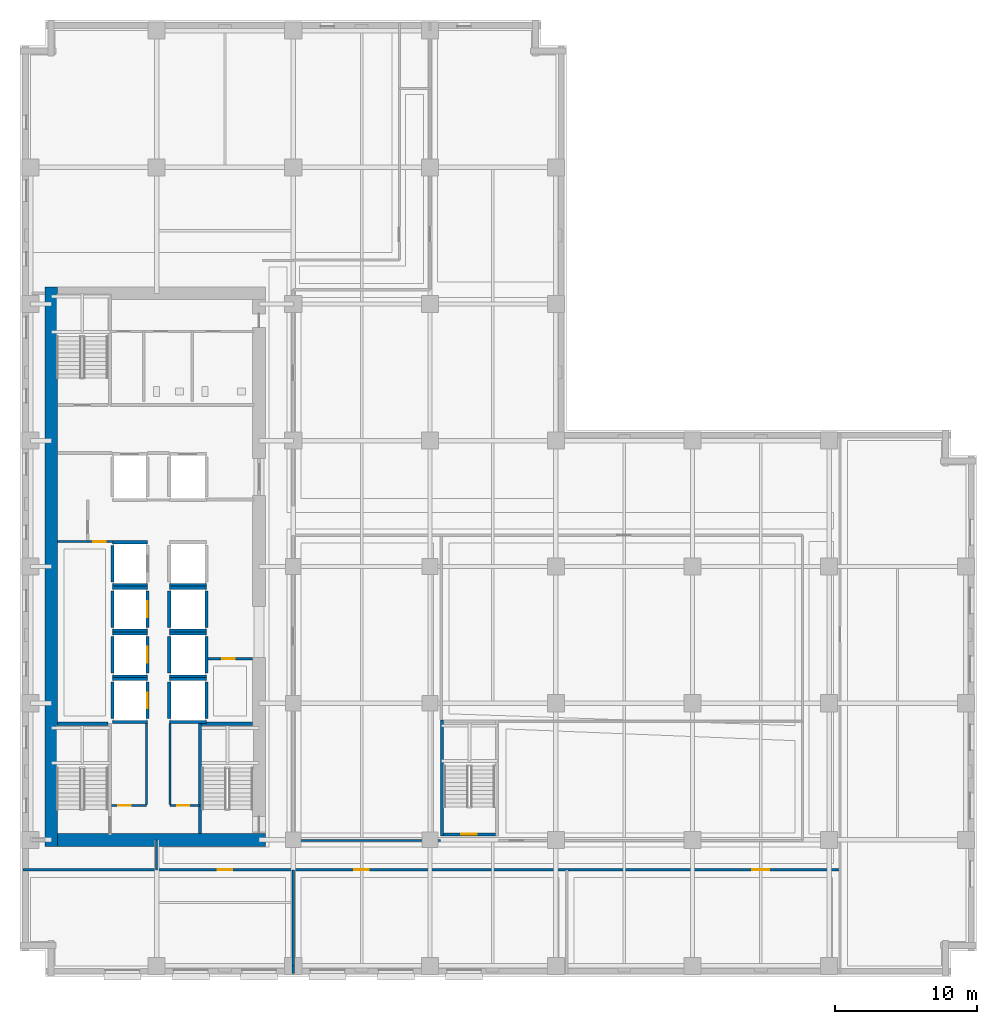
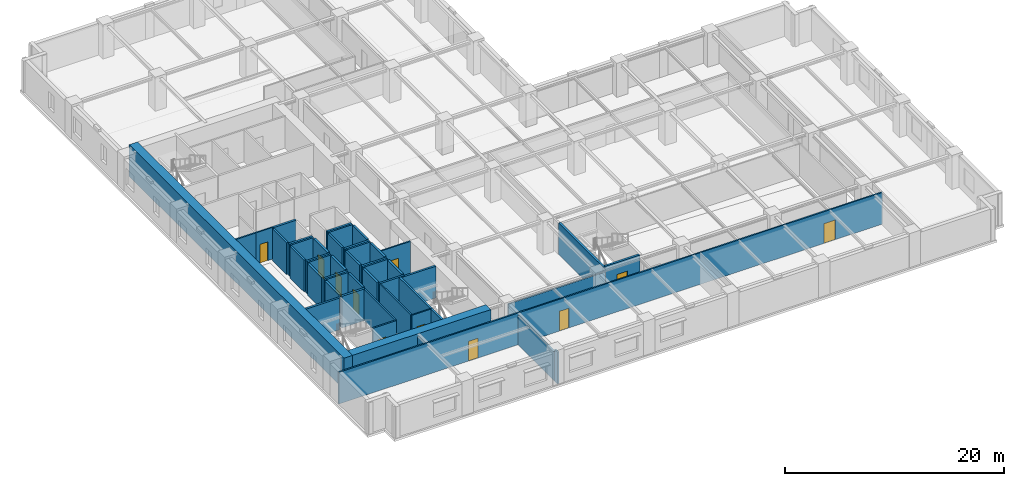
# One storey, part 4 of 14: 47 walls, 11 doors, 11 openings.
"""IFC4 building model written with IfcOpenShell, lengths in metres."""

from ifc_helpers import new_model, si_unit, direction, frame, frame_2d, origin, place, context, subcontext, project, spatial, rectangle, extrude, material, layer, layer_set, type_object, element, fill, save


model = new_model("IFC4")

# Units and contexts
model_context = context("Model", 3, precision=1e-05, world=origin(), true_north=direction((0.0, 1.0)))
body_context = subcontext(model_context, "Body", "Model", "MODEL_VIEW")
ifc_project = project(units=[si_unit("LENGTHUNIT", "METRE"), si_unit("AREAUNIT", "SQUARE_METRE"), si_unit("VOLUMEUNIT", "CUBIC_METRE"), si_unit("PLANEANGLEUNIT", "RADIAN"), si_unit("MASSUNIT", "GRAM", prefix="KILO")], contexts=[model_context])

# Site, building, storey
site_placement = place(None, origin())
site = spatial("IfcSite", under=ifc_project, at=site_placement, CompositionType="ELEMENT")
building_placement = place(site_placement, origin())
building = spatial("IfcBuilding", under=site, at=building_placement, Name="Norrvale University Quadrangle", CompositionType="ELEMENT")
storey_placement = place(building_placement, frame((0.0, 0.0, 50.800048828125)))
storey = spatial("IfcBuildingStorey", under=building, at=storey_placement, Name="L12", CompositionType="ELEMENT", Elevation=50.800048828125)

# Walls
ifc_material_1 = material(Name="Concrete C80/95", Category="concrete")
ifc_layer_1 = layer(ifc_material_1, 0.89990234375, Name="Concrete C80/95")
ifc_layer_set_1 = layer_set([ifc_layer_1], Name="Concrete C80/95")
wall_type_1 = type_object("IfcWallType", Name="Wall Core 900", PredefinedType="SHEAR", material=ifc_layer_set_1)
wall_1_placement = place(storey_placement, frame((2.64990234375, 9.60009765625, 0.0), z_axis=(0.0, 0.0, 1.0), x_axis=(1.0, 0.0, 0.0)))
element("IfcWall", 1, at=wall_1_placement, inside=storey, type_object=wall_type_1, Name="Tower Core Shear Wall L12-S", PredefinedType="SHEAR", context=body_context, shape_type="SweptSolid", body=[
    extrude(rectangle(XDim=14.60009765625, YDim=0.89990234375, at=frame_2d((7.300048828125, 0.0))), origin(), (0.0, 0.0, 1.0), 3.5400390625),
])
wall_2_placement = place(storey_placement, frame((2.199951171875, 9.14990234375, 0.0), z_axis=(0.0, 0.0, 1.0), x_axis=(0.0, 1.0, 0.0)))
element("IfcWall", 2, at=wall_2_placement, inside=storey, type_object=wall_type_1, Name="Tower Core Shear Wall L12-W", PredefinedType="SHEAR", context=body_context, shape_type="SweptSolid", body=[
    extrude(rectangle(XDim=39.300048828125, YDim=0.89990234375, at=frame_2d((19.64990234375, 0.0))), origin(), (0.0, 0.0, 1.0), 3.5400390625),
])

# Wall, opening, door
ifc_material_2 = material(Name="Fire-Rated Gypsum Stud Partition")
ifc_layer_2 = layer(ifc_material_2, 0.14990234375, Name="Fire-Rated Gypsum Stud Partition")
ifc_layer_set_2 = layer_set([ifc_layer_2], Name="Fire-Rated Gypsum Stud Partition")
wall_type_2 = type_object("IfcWallType", Name="Wall Gypsum Corridor 150", PredefinedType="PARTITIONING", material=ifc_layer_set_2)
wall_3_placement = place(storey_placement, frame((6.419921875, 12.02001953125, 0.0), z_axis=(0.0, 0.0, 1.0), x_axis=(1.0, 0.0, 0.0)))
wall_3 = element("IfcWall", 3, at=wall_3_placement, inside=storey, type_object=wall_type_2, Name="Interior Partition WL-L12-SC-NL", PredefinedType="PARTITIONING", context=body_context, shape_type="SweptSolid", body=[
    extrude(rectangle(XDim=2.47998046875, YDim=0.14990234375, at=frame_2d((1.239990234375, 0.0))), origin(), (0.0, 0.0, 1.0), 3.5400390625),
])
opening_1_placement = place(wall_3_placement, frame((0.5, 0.0, 0.0)))
opening_1 = element("IfcOpeningElement", 4, at=opening_1_placement, cuts=wall_3, Name="Opening D10", PredefinedType="OPENING", context=body_context, shape_type="SweptSolid", body=[
    extrude(rectangle(XDim=0.85009765625, YDim=2.10009765625, at=frame_2d((0.425048828125, 1.050048828125))), frame((0.0, 0.0869140625, 0.0), z_axis=(0.0, -1.0, 0.0), x_axis=(1.0, 0.0, 0.0)), (0.0, 0.0, 1.0), 0.173828125),
])
ifc_material_3 = material(Name="Hollow Steel 350W Riser Fire Door", Category="steel")
door_type_1 = type_object("IfcDoorType", Name="Door Riser 850x2100", OperationType="NOTDEFINED", PredefinedType="DOOR", material=ifc_material_3)
door_1_placement = place(opening_1_placement, origin())
door_1 = element("IfcDoor", 5, at=door_1_placement, inside=storey, type_object=door_type_1, Name="Door Riser 850x2100 DR-L12-ELEC", OperationType="SINGLE_SWING_LEFT", OverallHeight=2.10009765625, OverallWidth=0.85009765625, PredefinedType="DOOR", context=body_context, shape_type="SweptSolid", body=[
    extrude(rectangle(XDim=0.85009765625, YDim=2.10009765625, at=frame_2d((0.425048828125, 1.050048828125))), frame((0.0, 0.02490234375, 0.0), z_axis=(0.0, -1.0, 0.0), x_axis=(1.0, 0.0, 0.0)), (0.0, 0.0, 1.0), 0.050048828125),
])
fill(opening_1, door_1)

wall_4_placement = place(storey_placement, frame((10.550048828125, 12.02001953125, 0.0), z_axis=(0.0, 0.0, 1.0), x_axis=(1.0, 0.0, 0.0)))
wall_4 = element("IfcWall", 6, at=wall_4_placement, inside=storey, type_object=wall_type_2, Name="Interior Partition WL-L12-SC-NR", PredefinedType="PARTITIONING", context=body_context, shape_type="SweptSolid", body=[
    extrude(rectangle(XDim=2.079833984375, YDim=0.14990234375, at=frame_2d((1.0400390625, 0.0))), origin(), (0.0, 0.0, 1.0), 3.5400390625),
])
opening_2_placement = place(wall_4_placement, frame((0.5, 0.0, 0.0)))
opening_2 = element("IfcOpeningElement", 7, at=opening_2_placement, cuts=wall_4, Name="Opening D10", PredefinedType="OPENING", context=body_context, shape_type="SweptSolid", body=[
    extrude(rectangle(XDim=0.85009765625, YDim=2.10009765625, at=frame_2d((0.425048828125, 1.050048828125))), frame((0.0, 0.0869140625, 0.0), z_axis=(0.0, -1.0, 0.0), x_axis=(1.0, 0.0, 0.0)), (0.0, 0.0, 1.0), 0.173828125),
])
door_2_placement = place(opening_2_placement, origin())
door_2 = element("IfcDoor", 8, at=door_2_placement, inside=storey, type_object=door_type_1, Name="Door Riser 850x2100 DR-L12-IDF", OperationType="SINGLE_SWING_RIGHT", OverallHeight=2.10009765625, OverallWidth=0.85009765625, PredefinedType="DOOR", context=body_context, shape_type="SweptSolid", body=[
    extrude(rectangle(XDim=0.85009765625, YDim=2.10009765625, at=frame_2d((0.425048828125, 1.050048828125))), frame((0.0, 0.02490234375, 0.0), z_axis=(0.0, -1.0, 0.0), x_axis=(1.0, 0.0, 0.0)), (0.0, 0.0, 1.0), 0.050048828125),
])
fill(opening_2, door_2)

# Walls
for number, where, z_axis, x_axis, name in (
    (9, (8.89990234375, 12.094970703125, 0.0), (0.0, 0.0, 1.0), (0.0, 1.0, 0.0), "Interior Partition WL-L12-SC-WL"),
    (10, (10.550048828125, 12.094970703125, 0.0), (0.0, 0.0, 1.0), (0.0, 1.0, 0.0), "Interior Partition WL-L12-SC-WR"),
):
    element("IfcWall", number, at=place(storey_placement, frame(where, z_axis=z_axis, x_axis=x_axis)), inside=storey, type_object=wall_type_2, Name=name, PredefinedType="PARTITIONING", context=body_context, shape_type="SweptSolid", body=[
        extrude(rectangle(XDim=5.679931640625, YDim=0.14990234375, at=frame_2d((2.83984375, 0.0))), origin(), (0.0, 0.0, 1.0), 3.5400390625),
    ])

# Wall, opening, door
wall_5_placement = place(storey_placement, frame((13.22509765625, 22.320068359375, 0.0), z_axis=(0.0, 0.0, 1.0), x_axis=(1.0, 0.0, 0.0)))
wall_5 = element("IfcWall", 11, at=wall_5_placement, inside=storey, type_object=wall_type_2, Name="Interior Partition WL-L12-JAN-N", PredefinedType="PARTITIONING", context=body_context, shape_type="SweptSolid", body=[
    extrude(rectangle(XDim=3.119873046875, YDim=0.14990234375, at=frame_2d((1.56005859375, 0.0))), origin(), (0.0, 0.0, 1.0), 3.5400390625),
])
opening_3_placement = place(wall_5_placement, frame((1.0, 0.0, 0.0)))
opening_3 = element("IfcOpeningElement", 12, at=opening_3_placement, cuts=wall_5, Name="Opening D10", PredefinedType="OPENING", context=body_context, shape_type="SweptSolid", body=[
    extrude(rectangle(XDim=0.85009765625, YDim=2.10009765625, at=frame_2d((0.425048828125, 1.050048828125))), frame((0.0, 0.0869140625, 0.0), z_axis=(0.0, -1.0, 0.0), x_axis=(1.0, 0.0, 0.0)), (0.0, 0.0, 1.0), 0.173828125),
])
door_3_placement = place(opening_3_placement, origin())
door_3 = element("IfcDoor", 13, at=door_3_placement, inside=storey, type_object=door_type_1, Name="Door Riser 850x2100 DR-L12-JAN", OperationType="SINGLE_SWING_LEFT", OverallHeight=2.10009765625, OverallWidth=0.85009765625, PredefinedType="DOOR", context=body_context, shape_type="SweptSolid", body=[
    extrude(rectangle(XDim=0.85009765625, YDim=2.10009765625, at=frame_2d((0.425048828125, 1.050048828125))), frame((0.0, 0.02490234375, 0.0), z_axis=(0.0, -1.0, 0.0), x_axis=(1.0, 0.0, 0.0)), (0.0, 0.0, 1.0), 0.050048828125),
])
fill(opening_3, door_3)

wall_6_placement = place(storey_placement, frame((4.760009765625, 30.550048828125, 0.0), z_axis=(0.0, 0.0, 1.0), x_axis=(1.0, 0.0, 0.0)))
wall_6 = element("IfcWall", 14, at=wall_6_placement, inside=storey, type_object=wall_type_2, Name="Interior Partition WL-L12-WST-N", PredefinedType="PARTITIONING", context=body_context, shape_type="SweptSolid", body=[
    extrude(rectangle(XDim=1.760009765625, YDim=0.14990234375, at=frame_2d((0.8798828125, 0.0))), origin(), (0.0, 0.0, 1.0), 3.5400390625),
])
opening_4_placement = place(wall_6_placement, frame((0.39990234375, 0.0, 0.0)))
opening_4 = element("IfcOpeningElement", 15, at=opening_4_placement, cuts=wall_6, Name="Opening D10", PredefinedType="OPENING", context=body_context, shape_type="SweptSolid", body=[
    extrude(rectangle(XDim=0.85009765625, YDim=2.10009765625, at=frame_2d((0.425048828125, 1.050048828125))), frame((0.0, 0.0869140625, 0.0), z_axis=(0.0, -1.0, 0.0), x_axis=(1.0, 0.0, 0.0)), (0.0, 0.0, 1.0), 0.173828125),
])
door_4_placement = place(opening_4_placement, origin())
door_4 = element("IfcDoor", 16, at=door_4_placement, inside=storey, type_object=door_type_1, Name="Door Riser 850x2100 DR-L12-WST", OperationType="SINGLE_SWING_RIGHT", OverallHeight=2.10009765625, OverallWidth=0.85009765625, PredefinedType="DOOR", context=body_context, shape_type="SweptSolid", body=[
    extrude(rectangle(XDim=0.85009765625, YDim=2.10009765625, at=frame_2d((0.425048828125, 1.050048828125))), frame((0.0, 0.02490234375, 0.0), z_axis=(0.0, -1.0, 0.0), x_axis=(1.0, 0.0, 0.0)), (0.0, 0.0, 1.0), 0.050048828125),
])
fill(opening_4, door_4)

# Walls
wall_7_placement = place(storey_placement, frame((2.64990234375, 30.550048828125, 0.0), z_axis=(0.0, 0.0, 1.0), x_axis=(1.0, 0.0, 0.0)))
element("IfcWall", 17, at=wall_7_placement, inside=storey, type_object=wall_type_2, Name="Interior Partition WL-L12-WST-N2", PredefinedType="PARTITIONING", context=body_context, shape_type="SweptSolid", body=[
    extrude(rectangle(XDim=2.110107421875, YDim=0.14990234375, at=frame_2d((1.05517578125, 0.0))), origin(), (0.0, 0.0, 1.0), 3.5400390625),
])
wall_8_placement = place(storey_placement, frame((9.60009765625, 7.5, 0.0), z_axis=(0.0, 0.0, 1.0), x_axis=(0.0, 1.0, 0.0)))
element("IfcWall", 18, at=wall_8_placement, inside=storey, type_object=wall_type_2, Name="Interior Partition WL-L12-CSW-END", PredefinedType="PARTITIONING", context=body_context, shape_type="SweptSolid", body=[
    extrude(rectangle(XDim=2.10009765625, YDim=0.14990234375, at=frame_2d((1.050048828125, 0.0))), origin(), (0.0, 0.0, 1.0), 3.23193359375),
])

# Wall, openings, doors
wall_9_placement = place(storey_placement, frame((0.219970703125, 7.5, 0.0), z_axis=(0.0, 0.0, 1.0), x_axis=(1.0, 0.0, 0.0)))
wall_9 = element("IfcWall", 19, at=wall_9_placement, inside=storey, type_object=wall_type_2, Name="Interior Partition WL-L12-SCW", PredefinedType="PARTITIONING", context=body_context, shape_type="SweptSolid", body=[
    extrude(rectangle(XDim=57.380126953125, YDim=0.14990234375, at=frame_2d((28.68994140625, 0.0))), origin(), (0.0, 0.0, 1.0), 3.5400390625),
])
opening_5_placement = place(wall_9_placement, frame((13.679931640625, 0.0, 0.0)))
opening_5 = element("IfcOpeningElement", 20, at=opening_5_placement, cuts=wall_9, Name="Opening D04", PredefinedType="OPENING", context=body_context, shape_type="SweptSolid", body=[
    extrude(rectangle(XDim=1.0, YDim=2.199951171875, at=frame_2d((0.5, 1.10009765625))), frame((0.0, 0.0869140625, 0.0), z_axis=(0.0, -1.0, 0.0), x_axis=(1.0, 0.0, 0.0)), (0.0, 0.0, 1.0), 0.173828125),
])
opening_6_placement = place(wall_9_placement, frame((23.280029296875, 0.0, 0.0)))
opening_6 = element("IfcOpeningElement", 21, at=opening_6_placement, cuts=wall_9, Name="Opening D04", PredefinedType="OPENING", context=body_context, shape_type="SweptSolid", body=[
    extrude(rectangle(XDim=1.0, YDim=2.199951171875, at=frame_2d((0.5, 1.10009765625))), frame((0.0, 0.0869140625, 0.0), z_axis=(0.0, -1.0, 0.0), x_axis=(1.0, 0.0, 0.0)), (0.0, 0.0, 1.0), 0.173828125),
])
opening_7_placement = place(wall_9_placement, frame((51.22998046875, 0.0, 0.0)))
opening_7 = element("IfcOpeningElement", 22, at=opening_7_placement, cuts=wall_9, Name="Opening D05", PredefinedType="OPENING", context=body_context, shape_type="SweptSolid", body=[
    extrude(rectangle(XDim=1.199951171875, YDim=2.199951171875, at=frame_2d((0.60009765625, 1.10009765625))), frame((0.0, 0.0869140625, 0.0), z_axis=(0.0, -1.0, 0.0), x_axis=(1.0, 0.0, 0.0)), (0.0, 0.0, 1.0), 0.173828125),
])
ifc_material_4 = material(Name="Acoustic Oak Classroom Door", Category="wood")
door_type_2 = type_object("IfcDoorType", Name="Door Classroom 1200x2200", OperationType="NOTDEFINED", PredefinedType="DOOR", material=ifc_material_4)
door_5_placement = place(opening_7_placement, origin())
door_5 = element("IfcDoor", 23, at=door_5_placement, inside=storey, type_object=door_type_2, Name="Door Classroom 1200x2200 DR-L12-S03", OperationType="SINGLE_SWING_LEFT", OverallHeight=2.199951171875, OverallWidth=1.199951171875, PredefinedType="DOOR", context=body_context, shape_type="SweptSolid", body=[
    extrude(rectangle(XDim=1.199951171875, YDim=2.199951171875, at=frame_2d((0.60009765625, 1.10009765625))), frame((0.0, 0.02490234375, 0.0), z_axis=(0.0, -1.0, 0.0), x_axis=(1.0, 0.0, 0.0)), (0.0, 0.0, 1.0), 0.050048828125),
])
fill(opening_7, door_5)
ifc_material_5 = material(Name="Solid-Core Oak Fire Door", Category="wood")
door_type_3 = type_object("IfcDoorType", Name="Door Corridor 1000x2200", OperationType="NOTDEFINED", PredefinedType="DOOR", material=ifc_material_5)
door_6_placement = place(opening_5_placement, origin())
door_6 = element("IfcDoor", 24, at=door_6_placement, inside=storey, type_object=door_type_3, Name="Door Corridor 1000x2200 DR-L12-S01", OperationType="SINGLE_SWING_LEFT", OverallHeight=2.199951171875, OverallWidth=1.0, PredefinedType="DOOR", context=body_context, shape_type="SweptSolid", body=[
    extrude(rectangle(XDim=1.0, YDim=2.199951171875, at=frame_2d((0.5, 1.10009765625))), frame((0.0, 0.02490234375, 0.0), z_axis=(0.0, -1.0, 0.0), x_axis=(1.0, 0.0, 0.0)), (0.0, 0.0, 1.0), 0.050048828125),
])
fill(opening_5, door_6)
door_7_placement = place(opening_6_placement, origin())
door_7 = element("IfcDoor", 25, at=door_7_placement, inside=storey, type_object=door_type_3, Name="Door Corridor 1000x2200 DR-L12-S02", OperationType="SINGLE_SWING_RIGHT", OverallHeight=2.199951171875, OverallWidth=1.0, PredefinedType="DOOR", context=body_context, shape_type="SweptSolid", body=[
    extrude(rectangle(XDim=1.0, YDim=2.199951171875, at=frame_2d((0.5, 1.10009765625))), frame((0.0, 0.02490234375, 0.0), z_axis=(0.0, -1.0, 0.0), x_axis=(1.0, 0.0, 0.0)), (0.0, 0.0, 1.0), 0.050048828125),
])
fill(opening_6, door_7)

# Walls
wall_10_placement = place(storey_placement, frame((19.280029296875, 9.550048828125, 0.0), z_axis=(0.0, 0.0, 1.0), x_axis=(1.0, 0.0, 0.0)))
element("IfcWall", 26, at=wall_10_placement, inside=storey, type_object=wall_type_2, Name="Interior Partition WL-L12-ISLS1", PredefinedType="PARTITIONING", context=body_context, shape_type="SweptSolid", body=[
    extrude(rectangle(XDim=10.244873046875, YDim=0.14990234375, at=frame_2d((5.12255859375, 0.0))), origin(), (0.0, 0.0, 1.0), 3.23193359375),
])
ifc_material_6 = material(Name="Sanitary Chase Gypsum Partition")
ifc_layer_3 = layer(ifc_material_6, 0.1650390625, Name="Sanitary Chase Gypsum Partition")
ifc_layer_set_3 = layer_set([ifc_layer_3], Name="Sanitary Chase Gypsum Partition")
wall_type_3 = type_object("IfcWallType", Name="Wall Gypsum Sanitary 165", PredefinedType="PLUMBINGWALL", material=ifc_layer_set_3)
wall_11_placement = place(storey_placement, frame((19.199951171875, 0.219970703125, 0.0), z_axis=(0.0, 0.0, 1.0), x_axis=(0.0, 1.0, 0.0)))
element("IfcWall", 27, at=wall_11_placement, inside=storey, type_object=wall_type_3, Name="Interior Partition WL-L12-SP01", PredefinedType="PLUMBINGWALL", context=body_context, shape_type="SweptSolid", body=[
    extrude(rectangle(XDim=0.530029296875, YDim=0.1650390625, at=frame_2d((0.26513671875, 0.0))), origin(), (0.0, 0.0, 1.0), 3.5400390625),
])
wall_12_placement = place(storey_placement, frame((19.199951171875, 0.75, 0.0), z_axis=(0.0, 0.0, 1.0), x_axis=(0.0, 1.0, 0.0)))
element("IfcWall", 28, at=wall_12_placement, inside=storey, type_object=wall_type_3, Name="Interior Partition WL-L12-SP01-B2", PredefinedType="PLUMBINGWALL", context=body_context, shape_type="SweptSolid", body=[
    extrude(rectangle(XDim=6.75, YDim=0.1650390625, at=frame_2d((3.375, 0.0))), origin(), (0.0, 0.0, 1.0), 3.23193359375),
])
ifc_material_7 = material(Name="Concrete Blockwork 20 MPa Fire Shaft", Category="masonry")
ifc_layer_4 = layer(ifc_material_7, 0.219970703125, Name="Concrete Blockwork 20 MPa Fire Shaft")
ifc_layer_set_4 = layer_set([ifc_layer_4], Name="Concrete Blockwork 20 MPa Fire Shaft")
wall_type_4 = type_object("IfcWallType", Name="Wall Shaft 220", PredefinedType="SOLIDWALL", material=ifc_layer_set_4)
wall_13_placement = place(storey_placement, frame((2.64990234375, 17.760009765625, 0.0), z_axis=(0.0, 0.0, 1.0), x_axis=(1.0, 0.0, 0.0)))
element("IfcWall", 29, at=wall_13_placement, inside=storey, type_object=wall_type_4, Name="Stair ST-01 North Shaft Wall L12", PredefinedType="SOLIDWALL", context=body_context, shape_type="SweptSolid", body=[
    extrude(rectangle(XDim=3.550048828125, YDim=0.219970703125, at=frame_2d((1.77490234375, 0.0))), origin(), (0.0, 0.0, 1.0), 3.5400390625),
])
wall_14_placement = place(storey_placement, frame((12.639892578125, 10.050048828125, 0.0), z_axis=(0.0, 0.0, 1.0), x_axis=(0.0, 1.0, 0.0)))
element("IfcWall", 30, at=wall_14_placement, inside=storey, type_object=wall_type_4, Name="Stair ST-03 West Shaft Wall L12", PredefinedType="SOLIDWALL", context=body_context, shape_type="SweptSolid", body=[
    extrude(rectangle(XDim=7.7099609375, YDim=0.219970703125, at=frame_2d((3.85498046875, 0.0))), origin(), (0.0, 0.0, 1.0), 3.5400390625),
])
wall_15_placement = place(storey_placement, frame((12.75, 17.760009765625, 0.0), z_axis=(0.0, 0.0, 1.0), x_axis=(1.0, 0.0, 0.0)))
element("IfcWall", 31, at=wall_15_placement, inside=storey, type_object=wall_type_4, Name="Stair ST-03 North Shaft Wall L12", PredefinedType="SOLIDWALL", context=body_context, shape_type="SweptSolid", body=[
    extrude(rectangle(XDim=3.60009765625, YDim=0.219970703125, at=frame_2d((1.800048828125, 0.0))), origin(), (0.0, 0.0, 1.0), 3.5400390625),
])

# Wall, opening, door
wall_16_placement = place(storey_placement, frame((29.75, 9.989990234375, 0.0), z_axis=(0.0, 0.0, 1.0), x_axis=(1.0, 0.0, 0.0)))
wall_16 = element("IfcWall", 32, at=wall_16_placement, inside=storey, type_object=wall_type_4, Name="Stair ST-04 South Shaft Wall L12", PredefinedType="SOLIDWALL", context=body_context, shape_type="SweptSolid", body=[
    extrude(rectangle(XDim=3.64990234375, YDim=0.219970703125, at=frame_2d((1.824951171875, 0.0))), origin(), (0.0, 0.0, 1.0), 3.5400390625),
])
opening_8_placement = place(wall_16_placement, frame((1.239990234375, 0.0, 0.0)))
opening_8 = element("IfcOpeningElement", 33, at=opening_8_placement, cuts=wall_16, Name="Opening D02", PredefinedType="OPENING", context=body_context, shape_type="SweptSolid", body=[
    extrude(rectangle(XDim=1.10009765625, YDim=2.199951171875, at=frame_2d((0.550048828125, 1.10009765625))), frame((0.0, 0.1220703125, 0.0), z_axis=(0.0, -1.0, 0.0), x_axis=(1.0, 0.0, 0.0)), (0.0, 0.0, 1.0), 0.243896484375),
])
ifc_material_8 = material(Name="Hollow Steel 350W Fire Door", Category="steel")
door_type_4 = type_object("IfcDoorType", Name="Door Stair Exit 1100x2200", OperationType="NOTDEFINED", PredefinedType="DOOR", material=ifc_material_8)
door_8_placement = place(opening_8_placement, origin())
door_8 = element("IfcDoor", 34, at=door_8_placement, inside=storey, type_object=door_type_4, Name="Door Stair Exit 1100x2200 DR-L12-ST04", OperationType="SINGLE_SWING_LEFT", OverallHeight=2.199951171875, OverallWidth=1.10009765625, PredefinedType="DOOR", context=body_context, shape_type="SweptSolid", body=[
    extrude(rectangle(XDim=1.10009765625, YDim=2.199951171875, at=frame_2d((0.550048828125, 1.10009765625))), frame((0.0, 0.02490234375, 0.0), z_axis=(0.0, -1.0, 0.0), x_axis=(1.0, 0.0, 0.0)), (0.0, 0.0, 1.0), 0.050048828125),
])
fill(opening_8, door_8)

# Walls
wall_17_placement = place(storey_placement, frame((29.639892578125, 9.8798828125, 0.0), z_axis=(0.0, 0.0, 1.0), x_axis=(0.0, 1.0, 0.0)))
element("IfcWall", 35, at=wall_17_placement, inside=storey, type_object=wall_type_4, Name="Stair ST-04 West Shaft Wall L12", PredefinedType="SOLIDWALL", context=body_context, shape_type="SweptSolid", body=[
    extrude(rectangle(XDim=8.14013671875, YDim=0.219970703125, at=frame_2d((4.070068359375, 0.0))), origin(), (0.0, 0.0, 1.0), 3.5400390625),
])
wall_18_placement = place(storey_placement, frame((6.489990234375, 18.110107421875, 0.0), z_axis=(0.0, 0.0, 1.0), x_axis=(0.0, 1.0, 0.0)))
element("IfcWall", 36, at=wall_18_placement, inside=storey, type_object=wall_type_4, Name="Hoistway PL-01 West Wall L12", PredefinedType="SOLIDWALL", context=body_context, shape_type="SweptSolid", body=[
    extrude(rectangle(XDim=2.579833984375, YDim=0.219970703125, at=frame_2d((1.2900390625, 0.0))), origin(), (0.0, 0.0, 1.0), 3.5400390625),
])

# Wall, opening, door
wall_19_placement = place(storey_placement, frame((8.9599609375, 18.110107421875, 0.0), z_axis=(0.0, 0.0, 1.0), x_axis=(0.0, 1.0, 0.0)))
wall_19 = element("IfcWall", 37, at=wall_19_placement, inside=storey, type_object=wall_type_4, Name="Hoistway PL-01 East Wall L12", PredefinedType="SOLIDWALL", context=body_context, shape_type="SweptSolid", body=[
    extrude(rectangle(XDim=2.579833984375, YDim=0.219970703125, at=frame_2d((1.2900390625, 0.0))), origin(), (0.0, 0.0, 1.0), 3.5400390625),
])
opening_9_placement = place(wall_19_placement, frame((0.739990234375, 0.0, 0.0)))
opening_9 = element("IfcOpeningElement", 38, at=opening_9_placement, cuts=wall_19, Name="Opening LD1", PredefinedType="OPENING", context=body_context, shape_type="SweptSolid", body=[
    extrude(rectangle(XDim=1.10009765625, YDim=2.199951171875, at=frame_2d((0.550048828125, 1.10009765625))), frame((0.0, 0.1220703125, 0.0), z_axis=(0.0, -1.0, 0.0), x_axis=(1.0, 0.0, 0.0)), (0.0, 0.0, 1.0), 0.243896484375),
])
ifc_material_9 = material(Name="Stainless Steel 316L Lift Landing Door", Category="steel")
door_type_5 = type_object("IfcDoorType", Name="Door Lift Landing 1100x2200", OperationType="DOUBLE_DOOR_SLIDING", PredefinedType="DOOR", material=ifc_material_9)
door_9_placement = place(opening_9_placement, origin())
door_9 = element("IfcDoor", 39, at=door_9_placement, inside=storey, type_object=door_type_5, Name="Elevator Landing Door DR-L12-PL-01", OperationType="DOUBLE_DOOR_SLIDING", OverallHeight=2.199951171875, OverallWidth=1.10009765625, PredefinedType="DOOR", context=body_context, shape_type="SweptSolid", body=[
    extrude(rectangle(XDim=1.10009765625, YDim=2.199951171875, at=frame_2d((0.550048828125, 1.10009765625))), frame((0.0, 0.02490234375, 0.0), z_axis=(0.0, -1.0, 0.0), x_axis=(1.0, 0.0, 0.0)), (0.0, 0.0, 1.0), 0.050048828125),
])
fill(opening_9, door_9)

# Walls
for number, where, z_axis, x_axis, name in (
    (40, (6.489990234375, 17.889892578125, 0.0), (0.0, 0.0, 1.0), (1.0, 0.0, 0.0), "Hoistway PL-01 South Wall L12"),
    (41, (6.489990234375, 20.909912109375, 0.0), (0.0, 0.0, 1.0), (1.0, 0.0, 0.0), "Hoistway PL-01 North Wall L12"),
):
    element("IfcWall", number, at=place(storey_placement, frame(where, z_axis=z_axis, x_axis=x_axis)), inside=storey, type_object=wall_type_4, Name=name, PredefinedType="SOLIDWALL", context=body_context, shape_type="SweptSolid", body=[
        extrude(rectangle(XDim=2.469970703125, YDim=0.219970703125, at=frame_2d((1.23486328125, 0.0))), origin(), (0.0, 0.0, 1.0), 3.5400390625),
    ])
wall_20_placement = place(storey_placement, frame((6.489990234375, 21.31005859375, 0.0), z_axis=(0.0, 0.0, 1.0), x_axis=(0.0, 1.0, 0.0)))
element("IfcWall", 42, at=wall_20_placement, inside=storey, type_object=wall_type_4, Name="Hoistway PL-02 West Wall L12", PredefinedType="SOLIDWALL", context=body_context, shape_type="SweptSolid", body=[
    extrude(rectangle(XDim=2.579833984375, YDim=0.219970703125, at=frame_2d((1.2900390625, 0.0))), origin(), (0.0, 0.0, 1.0), 3.5400390625),
])

# Wall, opening, door
wall_21_placement = place(storey_placement, frame((8.9599609375, 21.31005859375, 0.0), z_axis=(0.0, 0.0, 1.0), x_axis=(0.0, 1.0, 0.0)))
wall_21 = element("IfcWall", 43, at=wall_21_placement, inside=storey, type_object=wall_type_4, Name="Hoistway PL-02 East Wall L12", PredefinedType="SOLIDWALL", context=body_context, shape_type="SweptSolid", body=[
    extrude(rectangle(XDim=2.579833984375, YDim=0.219970703125, at=frame_2d((1.2900390625, 0.0))), origin(), (0.0, 0.0, 1.0), 3.5400390625),
])
opening_10_placement = place(wall_21_placement, frame((0.739990234375, 0.0, 0.0)))
opening_10 = element("IfcOpeningElement", 44, at=opening_10_placement, cuts=wall_21, Name="Opening LD1", PredefinedType="OPENING", context=body_context, shape_type="SweptSolid", body=[
    extrude(rectangle(XDim=1.10009765625, YDim=2.199951171875, at=frame_2d((0.550048828125, 1.10009765625))), frame((0.0, 0.1220703125, 0.0), z_axis=(0.0, -1.0, 0.0), x_axis=(1.0, 0.0, 0.0)), (0.0, 0.0, 1.0), 0.243896484375),
])
door_10_placement = place(opening_10_placement, origin())
door_10 = element("IfcDoor", 45, at=door_10_placement, inside=storey, type_object=door_type_5, Name="Elevator Landing Door DR-L12-PL-02", OperationType="DOUBLE_DOOR_SLIDING", OverallHeight=2.199951171875, OverallWidth=1.10009765625, PredefinedType="DOOR", context=body_context, shape_type="SweptSolid", body=[
    extrude(rectangle(XDim=1.10009765625, YDim=2.199951171875, at=frame_2d((0.550048828125, 1.10009765625))), frame((0.0, 0.02490234375, 0.0), z_axis=(0.0, -1.0, 0.0), x_axis=(1.0, 0.0, 0.0)), (0.0, 0.0, 1.0), 0.050048828125),
])
fill(opening_10, door_10)

# Walls
for number, where, z_axis, x_axis, name in (
    (46, (6.489990234375, 21.090087890625, 0.0), (0.0, 0.0, 1.0), (1.0, 0.0, 0.0), "Hoistway PL-02 South Wall L12"),
    (47, (6.489990234375, 24.110107421875, 0.0), (0.0, 0.0, 1.0), (1.0, 0.0, 0.0), "Hoistway PL-02 North Wall L12"),
):
    element("IfcWall", number, at=place(storey_placement, frame(where, z_axis=z_axis, x_axis=x_axis)), inside=storey, type_object=wall_type_4, Name=name, PredefinedType="SOLIDWALL", context=body_context, shape_type="SweptSolid", body=[
        extrude(rectangle(XDim=2.469970703125, YDim=0.219970703125, at=frame_2d((1.23486328125, 0.0))), origin(), (0.0, 0.0, 1.0), 3.5400390625),
    ])
wall_22_placement = place(storey_placement, frame((6.489990234375, 24.510009765625, 0.0), z_axis=(0.0, 0.0, 1.0), x_axis=(0.0, 1.0, 0.0)))
element("IfcWall", 48, at=wall_22_placement, inside=storey, type_object=wall_type_4, Name="Hoistway PL-03 West Wall L12", PredefinedType="SOLIDWALL", context=body_context, shape_type="SweptSolid", body=[
    extrude(rectangle(XDim=2.580078125, YDim=0.219970703125, at=frame_2d((1.2900390625, 0.0))), origin(), (0.0, 0.0, 1.0), 3.5400390625),
])

# Wall, opening, door
wall_23_placement = place(storey_placement, frame((8.9599609375, 24.510009765625, 0.0), z_axis=(0.0, 0.0, 1.0), x_axis=(0.0, 1.0, 0.0)))
wall_23 = element("IfcWall", 49, at=wall_23_placement, inside=storey, type_object=wall_type_4, Name="Hoistway PL-03 East Wall L12", PredefinedType="SOLIDWALL", context=body_context, shape_type="SweptSolid", body=[
    extrude(rectangle(XDim=2.580078125, YDim=0.219970703125, at=frame_2d((1.2900390625, 0.0))), origin(), (0.0, 0.0, 1.0), 3.5400390625),
])
opening_11_placement = place(wall_23_placement, frame((0.739990234375, 0.0, 0.0)))
opening_11 = element("IfcOpeningElement", 50, at=opening_11_placement, cuts=wall_23, Name="Opening LD1", PredefinedType="OPENING", context=body_context, shape_type="SweptSolid", body=[
    extrude(rectangle(XDim=1.10009765625, YDim=2.199951171875, at=frame_2d((0.550048828125, 1.10009765625))), frame((0.0, 0.1220703125, 0.0), z_axis=(0.0, -1.0, 0.0), x_axis=(1.0, 0.0, 0.0)), (0.0, 0.0, 1.0), 0.243896484375),
])
door_11_placement = place(opening_11_placement, origin())
door_11 = element("IfcDoor", 51, at=door_11_placement, inside=storey, type_object=door_type_5, Name="Elevator Landing Door DR-L12-PL-03", OperationType="DOUBLE_DOOR_SLIDING", OverallHeight=2.199951171875, OverallWidth=1.10009765625, PredefinedType="DOOR", context=body_context, shape_type="SweptSolid", body=[
    extrude(rectangle(XDim=1.10009765625, YDim=2.199951171875, at=frame_2d((0.550048828125, 1.10009765625))), frame((0.0, 0.02490234375, 0.0), z_axis=(0.0, -1.0, 0.0), x_axis=(1.0, 0.0, 0.0)), (0.0, 0.0, 1.0), 0.050048828125),
])
fill(opening_11, door_11)

# Walls
for number, where, z_axis, x_axis, name in (
    (52, (6.489990234375, 24.2900390625, 0.0), (0.0, 0.0, 1.0), (1.0, 0.0, 0.0), "Hoistway PL-03 South Wall L12"),
    (53, (6.489990234375, 27.31005859375, 0.0), (0.0, 0.0, 1.0), (1.0, 0.0, 0.0), "Hoistway PL-03 North Wall L12"),
):
    element("IfcWall", number, at=place(storey_placement, frame(where, z_axis=z_axis, x_axis=x_axis)), inside=storey, type_object=wall_type_4, Name=name, PredefinedType="SOLIDWALL", context=body_context, shape_type="SweptSolid", body=[
        extrude(rectangle(XDim=2.469970703125, YDim=0.219970703125, at=frame_2d((1.23486328125, 0.0))), origin(), (0.0, 0.0, 1.0), 3.5400390625),
    ])
wall_24_placement = place(storey_placement, frame((6.489990234375, 27.7099609375, 0.0), z_axis=(0.0, 0.0, 1.0), x_axis=(0.0, 1.0, 0.0)))
element("IfcWall", 54, at=wall_24_placement, inside=storey, type_object=wall_type_4, Name="Hoistway PL-04 West Wall L12", PredefinedType="SOLIDWALL", context=body_context, shape_type="SweptSolid", body=[
    extrude(rectangle(XDim=2.580078125, YDim=0.219970703125, at=frame_2d((1.2900390625, 0.0))), origin(), (0.0, 0.0, 1.0), 3.5400390625),
])
for number, where, z_axis, x_axis, name in (
    (55, (6.489990234375, 27.489990234375, 0.0), (0.0, 0.0, 1.0), (1.0, 0.0, 0.0), "Hoistway PL-04 South Wall L12"),
    (56, (6.489990234375, 30.510009765625, 0.0), (0.0, 0.0, 1.0), (1.0, 0.0, 0.0), "Hoistway PL-04 North Wall L12"),
):
    element("IfcWall", number, at=place(storey_placement, frame(where, z_axis=z_axis, x_axis=x_axis)), inside=storey, type_object=wall_type_4, Name=name, PredefinedType="SOLIDWALL", context=body_context, shape_type="SweptSolid", body=[
        extrude(rectangle(XDim=2.469970703125, YDim=0.219970703125, at=frame_2d((1.23486328125, 0.0))), origin(), (0.0, 0.0, 1.0), 3.5400390625),
    ])
for number, where, z_axis, x_axis, name in (
    (57, (10.489990234375, 18.110107421875, 0.0), (0.0, 0.0, 1.0), (0.0, 1.0, 0.0), "Hoistway PL-05 West Wall L12"),
    (58, (13.110107421875, 18.110107421875, 0.0), (0.0, 0.0, 1.0), (0.0, 1.0, 0.0), "Hoistway PL-05 East Wall L12"),
):
    element("IfcWall", number, at=place(storey_placement, frame(where, z_axis=z_axis, x_axis=x_axis)), inside=storey, type_object=wall_type_4, Name=name, PredefinedType="SOLIDWALL", context=body_context, shape_type="SweptSolid", body=[
        extrude(rectangle(XDim=2.579833984375, YDim=0.219970703125, at=frame_2d((1.2900390625, 0.0))), origin(), (0.0, 0.0, 1.0), 3.5400390625),
    ])
for number, where, z_axis, x_axis, name in (
    (59, (10.489990234375, 17.889892578125, 0.0), (0.0, 0.0, 1.0), (1.0, 0.0, 0.0), "Hoistway PL-05 South Wall L12"),
    (60, (10.489990234375, 20.909912109375, 0.0), (0.0, 0.0, 1.0), (1.0, 0.0, 0.0), "Hoistway PL-05 North Wall L12"),
):
    element("IfcWall", number, at=place(storey_placement, frame(where, z_axis=z_axis, x_axis=x_axis)), inside=storey, type_object=wall_type_4, Name=name, PredefinedType="SOLIDWALL", context=body_context, shape_type="SweptSolid", body=[
        extrude(rectangle(XDim=2.6201171875, YDim=0.219970703125, at=frame_2d((1.31005859375, 0.0))), origin(), (0.0, 0.0, 1.0), 3.5400390625),
    ])
for number, where, z_axis, x_axis, name in (
    (61, (10.489990234375, 21.31005859375, 0.0), (0.0, 0.0, 1.0), (0.0, 1.0, 0.0), "Hoistway PL-06 West Wall L12"),
    (62, (13.110107421875, 21.31005859375, 0.0), (0.0, 0.0, 1.0), (0.0, 1.0, 0.0), "Hoistway PL-06 East Wall L12"),
):
    element("IfcWall", number, at=place(storey_placement, frame(where, z_axis=z_axis, x_axis=x_axis)), inside=storey, type_object=wall_type_4, Name=name, PredefinedType="SOLIDWALL", context=body_context, shape_type="SweptSolid", body=[
        extrude(rectangle(XDim=2.579833984375, YDim=0.219970703125, at=frame_2d((1.2900390625, 0.0))), origin(), (0.0, 0.0, 1.0), 3.5400390625),
    ])
for number, where, z_axis, x_axis, name in (
    (63, (10.489990234375, 21.090087890625, 0.0), (0.0, 0.0, 1.0), (1.0, 0.0, 0.0), "Hoistway PL-06 South Wall L12"),
    (64, (10.489990234375, 24.110107421875, 0.0), (0.0, 0.0, 1.0), (1.0, 0.0, 0.0), "Hoistway PL-06 North Wall L12"),
):
    element("IfcWall", number, at=place(storey_placement, frame(where, z_axis=z_axis, x_axis=x_axis)), inside=storey, type_object=wall_type_4, Name=name, PredefinedType="SOLIDWALL", context=body_context, shape_type="SweptSolid", body=[
        extrude(rectangle(XDim=2.6201171875, YDim=0.219970703125, at=frame_2d((1.31005859375, 0.0))), origin(), (0.0, 0.0, 1.0), 3.5400390625),
    ])
for number, where, z_axis, x_axis, name in (
    (65, (10.489990234375, 24.510009765625, 0.0), (0.0, 0.0, 1.0), (0.0, 1.0, 0.0), "Hoistway PL-07 West Wall L12"),
    (66, (13.110107421875, 24.510009765625, 0.0), (0.0, 0.0, 1.0), (0.0, 1.0, 0.0), "Hoistway PL-07 East Wall L12"),
):
    element("IfcWall", number, at=place(storey_placement, frame(where, z_axis=z_axis, x_axis=x_axis)), inside=storey, type_object=wall_type_4, Name=name, PredefinedType="SOLIDWALL", context=body_context, shape_type="SweptSolid", body=[
        extrude(rectangle(XDim=2.580078125, YDim=0.219970703125, at=frame_2d((1.2900390625, 0.0))), origin(), (0.0, 0.0, 1.0), 3.5400390625),
    ])
for number, where, z_axis, x_axis, name in (
    (67, (10.489990234375, 24.2900390625, 0.0), (0.0, 0.0, 1.0), (1.0, 0.0, 0.0), "Hoistway PL-07 South Wall L12"),
    (68, (10.489990234375, 27.31005859375, 0.0), (0.0, 0.0, 1.0), (1.0, 0.0, 0.0), "Hoistway PL-07 North Wall L12"),
    (69, (10.489990234375, 27.489990234375, 0.0), (0.0, 0.0, 1.0), (1.0, 0.0, 0.0), "Hoistway PL-08 South Wall L12"),
):
    element("IfcWall", number, at=place(storey_placement, frame(where, z_axis=z_axis, x_axis=x_axis)), inside=storey, type_object=wall_type_4, Name=name, PredefinedType="SOLIDWALL", context=body_context, shape_type="SweptSolid", body=[
        extrude(rectangle(XDim=2.6201171875, YDim=0.219970703125, at=frame_2d((1.31005859375, 0.0))), origin(), (0.0, 0.0, 1.0), 3.5400390625),
    ])

save(model, "model.ifc")
